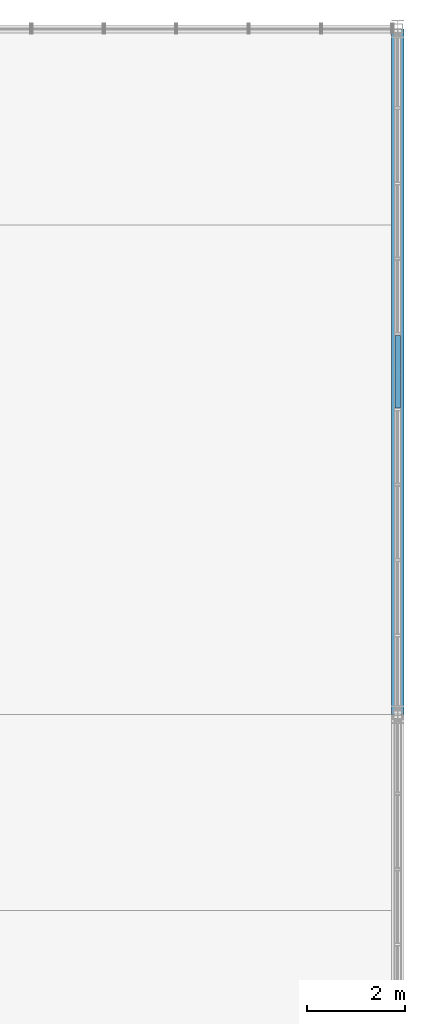
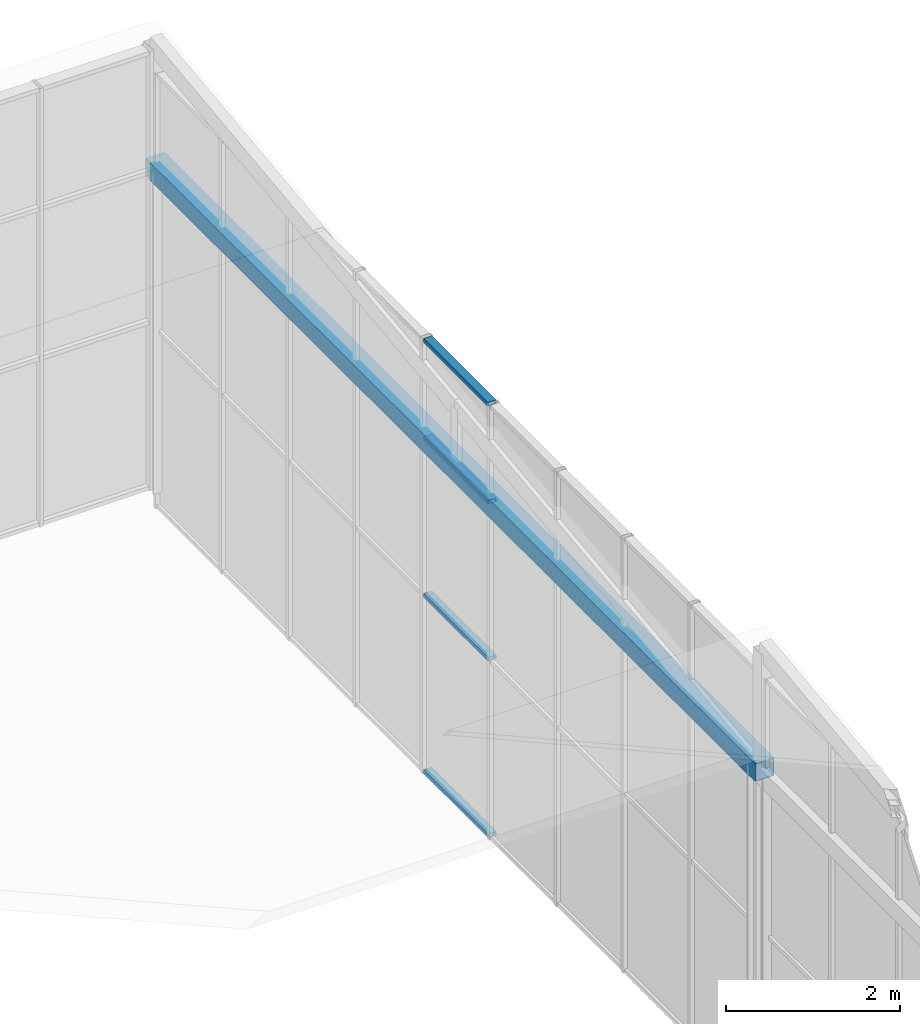
# One storey, part 74 of 104: 5 members, 1 element without a shape of its own.
"""IFC4 building model written with IfcOpenShell, lengths in metres."""

from ifc_helpers import new_model, si_unit, direction, frame, origin, origin_2d, place, context, subcontext, project, spatial, hollow_rectangle, extrude, material, layer, layer_set, material_profile, profile_set, type_object, element, aggregate, save


model = new_model("IFC4")

# Units and contexts
model_context = context("Model", 3, precision=1e-05, world=origin(), true_north=direction((0.0, 1.0)))
body_context = subcontext(model_context, "Body", "Model", "MODEL_VIEW")
ifc_project = project(units=[si_unit("LENGTHUNIT", "METRE"), si_unit("AREAUNIT", "SQUARE_METRE"), si_unit("VOLUMEUNIT", "CUBIC_METRE"), si_unit("PLANEANGLEUNIT", "RADIAN"), si_unit("MASSUNIT", "GRAM", prefix="KILO")], contexts=[model_context])

# Site, building, storey
site_placement = place(None, origin())
site = spatial("IfcSite", under=ifc_project, at=site_placement, CompositionType="ELEMENT")
building_placement = place(site_placement, origin())
building = spatial("IfcBuilding", under=site, at=building_placement, Name="Solvenia Promenade Tram Depot", CompositionType="ELEMENT")
storey_placement = place(building_placement, frame((0.0, 0.0, 9.0)))
storey = spatial("IfcBuildingStorey", under=building, at=storey_placement, Name="L02", CompositionType="ELEMENT", Elevation=9.0)

# Curtain wall, members
ifc_material_1 = material(Name="Anodized aluminium AW-6063 T6", Category="aluminium")
ifc_layer = layer(ifc_material_1, 0.080078125, Name="Anodized aluminium AW-6063 T6", Category="aluminium")
ifc_layer_set = layer_set([ifc_layer], Name="Anodized aluminium AW-6063 T6")
curtain_wall_type = type_object("IfcCurtainWallType", Name="CW-Clerest-1500", PredefinedType="NOTDEFINED", material=ifc_layer_set)
curtain_wall_placement = place(storey_placement, origin())
curtain_wall = element("IfcCurtainWall", 1, at=curtain_wall_placement, inside=storey, type_object=curtain_wall_type, Name="Curtain Wall CW-V2E-L2-3", PredefinedType="NOTDEFINED")
ifc_material_profile_1 = material_profile(ifc_material_1, hollow_rectangle(XDim=0.110107421875, YDim=0.054931640625, WallThickness=0.00390625, at=origin_2d()), Name="ALU-T4", Category="aluminium")
ifc_profile_set_1 = profile_set([ifc_material_profile_1], Name="Anodized aluminium AW-6063 T6")
member_type_1 = type_object("IfcMemberType", Name="CWT-Transom-4", PredefinedType="USERDEFINED", material=ifc_profile_set_1)
member_1_placement = place(storey_placement, frame((186.0, 58.258544921875, -0.222412109375), z_axis=(0.0, 1.0, 0.0), x_axis=(-1.0, 0.0, 0.0)))
member_1 = element("IfcMember", 2, at=member_1_placement, type_object=member_type_1, Name="CW-4 transom 5.1", ObjectType="TRANSOM", PredefinedType="USERDEFINED", context=body_context, shape_type="SweptSolid", body=[
    extrude(hollow_rectangle(XDim=0.110107421875, YDim=0.054931640625, WallThickness=0.00390625, at=origin_2d()), origin(), (0.0, 0.0, 1.0), 1.48291015625),
])
member_2_placement = place(storey_placement, frame((186.0, 58.258544921875, 2.25), z_axis=(0.0, 1.0, 0.0), x_axis=(-1.0, 0.0, 0.0)))
member_2 = element("IfcMember", 3, at=member_2_placement, type_object=member_type_1, Name="CW-4 transom 5.2", ObjectType="TRANSOM", PredefinedType="USERDEFINED", context=body_context, shape_type="SweptSolid", body=[
    extrude(hollow_rectangle(XDim=0.110107421875, YDim=0.054931640625, WallThickness=0.00390625, at=origin_2d()), origin(), (0.0, 0.0, 1.0), 1.48291015625),
])
member_3_placement = place(storey_placement, frame((186.0, 58.258544921875, 4.449951171875), z_axis=(0.0, 1.0, 0.0), x_axis=(-1.0, 0.0, 0.0)))
member_3 = element("IfcMember", 4, at=member_3_placement, type_object=member_type_1, Name="CW-4 transom 5.3", ObjectType="TRANSOM", PredefinedType="USERDEFINED", context=body_context, shape_type="SweptSolid", body=[
    extrude(hollow_rectangle(XDim=0.110107421875, YDim=0.054931640625, WallThickness=0.00390625, at=origin_2d()), origin(), (0.0, 0.0, 1.0), 1.48291015625),
])
member_4_placement = place(storey_placement, frame((186.0, 58.258544921875, 5.822509765625), z_axis=(0.0, 1.0, 0.0), x_axis=(-1.0, 0.0, 0.0)))
member_4 = element("IfcMember", 5, at=member_4_placement, type_object=member_type_1, Name="CW-4 transom 5.4", ObjectType="TRANSOM", PredefinedType="USERDEFINED", context=body_context, shape_type="SweptSolid", body=[
    extrude(hollow_rectangle(XDim=0.110107421875, YDim=0.054931640625, WallThickness=0.00390625, at=origin_2d()), origin(), (0.0, 0.0, 1.0), 1.48291015625),
])
aggregate(curtain_wall, [member_1, member_2, member_3, member_4])

# Member
ifc_material_2 = material(Name="Structural steel ASTM A500 Gr. C", Category="steel")
ifc_material_profile_2 = material_profile(ifc_material_2, hollow_rectangle(XDim=0.25, YDim=0.25, WallThickness=0.010009765625, at=origin_2d()), Name="HSS250x250x10", Category="steel")
ifc_profile_set_2 = profile_set([ifc_material_profile_2], Name="Structural steel ASTM A500 Gr. C")
member_type_2 = type_object("IfcMemberType", Name="Chord-HSS250x250x10", PredefinedType="CHORD", material=ifc_profile_set_2)
member_5_placement = place(storey_placement, frame((186.0, 52.0, 4.47998046875), z_axis=(0.0, 1.0, 0.0), x_axis=(-1.0, 0.0, 0.0)))
element("IfcMember", 6, at=member_5_placement, inside=storey, type_object=member_type_2, Name="Workshop Sawtooth Bottom Tie 2-10", PredefinedType="CHORD", context=body_context, shape_type="SweptSolid", body=[
    extrude(hollow_rectangle(XDim=0.25, YDim=0.25, WallThickness=0.010009765625, at=origin_2d()), origin(), (0.0, 0.0, 1.0), 14.0),
])

save(model, "model.ifc")
